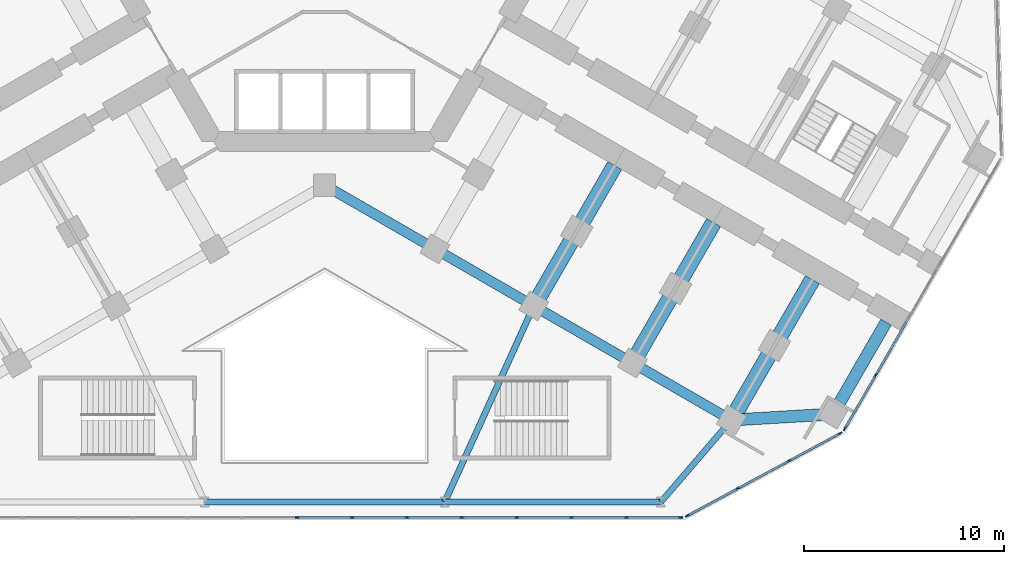
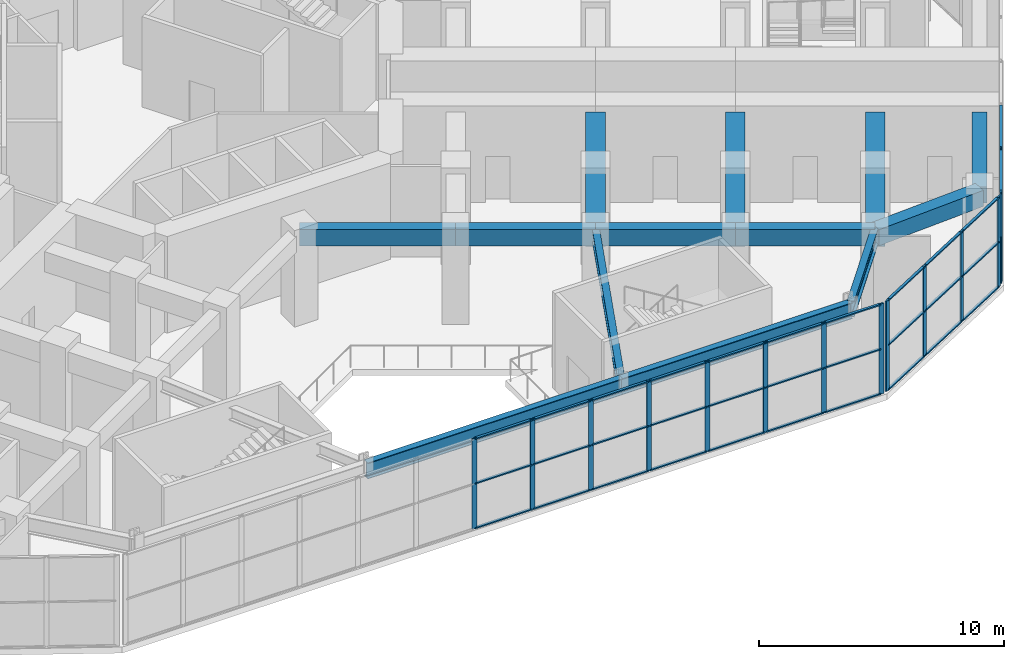
# One storey, part 5 of 21: 50 members, 13 beams, 3 elements without a shape of their own.
"""IFC4 building model written with IfcOpenShell, lengths in metres."""

from ifc_helpers import new_model, si_unit, direction, frame, origin, origin_2d, place, context, subcontext, project, spatial, rectangle, i_section, extrude, material, material_profile, profile_set, type_object, element, aggregate, save


model = new_model("IFC4")

# Units and contexts
model_context = context("Model", 3, precision=1e-05, world=origin(), true_north=direction((0.0, 1.0)))
body_context = subcontext(model_context, "Body", "Model", "MODEL_VIEW")
ifc_project = project(units=[si_unit("LENGTHUNIT", "METRE"), si_unit("AREAUNIT", "SQUARE_METRE"), si_unit("VOLUMEUNIT", "CUBIC_METRE"), si_unit("PLANEANGLEUNIT", "RADIAN"), si_unit("MASSUNIT", "GRAM", prefix="KILO")], contexts=[model_context])

# Site, building, storey
site_placement = place(None, origin())
site = spatial("IfcSite", under=ifc_project, at=site_placement, CompositionType="ELEMENT")
building_placement = place(site_placement, origin())
building = spatial("IfcBuilding", under=site, at=building_placement, Name="Kosmar Iwan School Tower", CompositionType="ELEMENT")
storey_placement = place(building_placement, frame((0.0, 0.0, 6.0)))
storey = spatial("IfcBuildingStorey", under=building, at=storey_placement, Name="L01", CompositionType="ELEMENT", Elevation=6.0)

# Beams
ifc_material_1 = material(Name="Steel S355", Category="steel")
ifc_material_profile_1 = material_profile(ifc_material_1, i_section(OverallWidth=0.300048828125, OverallDepth=0.800048828125, WebThickness=0.017578125, FlangeThickness=0.032958984375, FilletRadius=0.030029296875, at=origin_2d()), Name="HE 800 B")
ifc_profile_set_1 = profile_set([ifc_material_profile_1], Name="Steel S355")
beam_type_1 = type_object("IfcBeamType", Name="Infill edge beam HE 800 B", PredefinedType="BEAM", material=ifc_profile_set_1)
beam_1_placement = place(storey_placement, frame((20.31787109375, -23.508544921875, 4.10009765625), z_axis=(-0.651941989341, -0.758268845816, 0.0), x_axis=(0.758268845816, -0.651941989341, 0.0)))
element("IfcBeam", 1, at=beam_1_placement, inside=storey, type_object=beam_type_1, Name="Infill edge beam BC1", PredefinedType="BEAM", context=body_context, shape_type="SweptSolid", body=[
    extrude(i_section(OverallWidth=0.300048828125, OverallDepth=0.800048828125, WebThickness=0.017578125, FlangeThickness=0.032958984375, FilletRadius=0.030029296875, at=origin_2d()), origin(), (0.0, 0.0, 1.0), 5.39599609375),
])
beam_2_placement = place(storey_placement, frame((16.800048828125, -27.60009765625, 4.10009765625), z_axis=(-1.0, 0.0, 0.0), x_axis=(0.0, -1.0, 0.0)))
element("IfcBeam", 2, at=beam_2_placement, inside=storey, type_object=beam_type_1, Name="Infill edge beam BC2", PredefinedType="BEAM", context=body_context, shape_type="SweptSolid", body=[
    extrude(i_section(OverallWidth=0.300048828125, OverallDepth=0.800048828125, WebThickness=0.017578125, FlangeThickness=0.032958984375, FilletRadius=0.030029296875, at=origin_2d()), origin(), (0.0, 0.0, 1.0), 10.800048828125),
])
beam_3_placement = place(storey_placement, frame((6.0, -27.60009765625, 4.10009765625), z_axis=(-1.0, 0.0, 0.0), x_axis=(0.0, -1.0, 0.0)))
element("IfcBeam", 3, at=beam_3_placement, inside=storey, type_object=beam_type_1, Name="Infill edge beam BC3", PredefinedType="BEAM", context=body_context, shape_type="SweptSolid", body=[
    extrude(i_section(OverallWidth=0.300048828125, OverallDepth=0.800048828125, WebThickness=0.017578125, FlangeThickness=0.032958984375, FilletRadius=0.030029296875, at=origin_2d()), origin(), (0.0, 0.0, 1.0), 12.0),
])
ifc_material_2 = material(Name="Steel S355", Category="steel")
ifc_material_profile_2 = material_profile(ifc_material_2, i_section(OverallWidth=0.304931640625, OverallDepth=0.6201171875, WebThickness=0.02099609375, FlangeThickness=0.0400390625, FilletRadius=0.027099609375, at=origin_2d()), Name="HE 600 M")
ifc_profile_set_2 = profile_set([ifc_material_profile_2], Name="Steel S355")
beam_type_2 = type_object("IfcBeamType", Name="Infill girder HE 600 M", PredefinedType="BEAM", material=ifc_profile_set_2)
beam_4_placement = place(storey_placement, frame((6.0, -27.60009765625, 4.18994140625), z_axis=(0.413361578077, 0.910566969404, 0.0), x_axis=(-0.910566969404, 0.413361578077, 0.0)))
element("IfcBeam", 4, at=beam_4_placement, inside=storey, type_object=beam_type_2, Name="Infill girder BC2", PredefinedType="BEAM", context=body_context, shape_type="SweptSolid", body=[
    extrude(i_section(OverallWidth=0.304931640625, OverallDepth=0.6201171875, WebThickness=0.02099609375, FlangeThickness=0.0400390625, FilletRadius=0.027099609375, at=origin_2d()), origin(), (0.0, 0.0, 1.0), 10.75341796875),
])

# Curtain wall, members
ifc_material_3 = material(Name="Dark glass in black aluminium frame", Category="aluminium")
curtain_wall_type_1 = type_object("IfcCurtainWallType", Name="Podium curtain wall", PredefinedType="USERDEFINED", material=ifc_material_3)
curtain_wall_1_placement = place(storey_placement, origin())
curtain_wall_1 = element("IfcCurtainWall", 5, at=curtain_wall_1_placement, inside=storey, type_object=curtain_wall_type_1, Name="Curtain wall L01-F00", ObjectType="STICK CURTAIN WALL", PredefinedType="USERDEFINED")
ifc_material_4 = material(Name="Black anodised aluminium", Category="aluminium")
ifc_material_profile_3 = material_profile(ifc_material_4, rectangle(XDim=0.06494140625, YDim=0.219970703125, at=origin_2d()), Name="MULLION 65x220")
ifc_profile_set_3 = profile_set([ifc_material_profile_3], Name="Black anodised aluminium")
member_type_1 = type_object("IfcMemberType", Name="Podium mullion 65x220", PredefinedType="MULLION", material=ifc_profile_set_3)
member_1_placement = place(storey_placement, frame((-1.37060546875, -28.375, 0.0), z_axis=(0.0, 0.0, 1.0), x_axis=(0.0, 1.0, 0.0)))
member_1 = element("IfcMember", 6, at=member_1_placement, type_object=member_type_1, Name="CW3 mullion 7", PredefinedType="MULLION", context=body_context, shape_type="SweptSolid", body=[
    extrude(rectangle(XDim=0.06494140625, YDim=0.219970703125, at=origin_2d()), origin(), (0.0, 0.0, 1.0), 4.5),
])
member_2_placement = place(storey_placement, frame((1.37060546875, -28.375, 0.0), z_axis=(0.0, 0.0, 1.0), x_axis=(0.0, 1.0, 0.0)))
member_2 = element("IfcMember", 7, at=member_2_placement, type_object=member_type_1, Name="CW3 mullion 8", PredefinedType="MULLION", context=body_context, shape_type="SweptSolid", body=[
    extrude(rectangle(XDim=0.06494140625, YDim=0.219970703125, at=origin_2d()), origin(), (0.0, 0.0, 1.0), 4.5),
])
member_3_placement = place(storey_placement, frame((4.112060546875, -28.375, 0.0), z_axis=(0.0, 0.0, 1.0), x_axis=(0.0, 1.0, 0.0)))
member_3 = element("IfcMember", 8, at=member_3_placement, type_object=member_type_1, Name="CW3 mullion 9", PredefinedType="MULLION", context=body_context, shape_type="SweptSolid", body=[
    extrude(rectangle(XDim=0.06494140625, YDim=0.219970703125, at=origin_2d()), origin(), (0.0, 0.0, 1.0), 4.5),
])
member_4_placement = place(storey_placement, frame((6.853271484375, -28.375, 0.0), z_axis=(0.0, 0.0, 1.0), x_axis=(0.0, 1.0, 0.0)))
member_4 = element("IfcMember", 9, at=member_4_placement, type_object=member_type_1, Name="CW3 mullion 10", PredefinedType="MULLION", context=body_context, shape_type="SweptSolid", body=[
    extrude(rectangle(XDim=0.06494140625, YDim=0.219970703125, at=origin_2d()), origin(), (0.0, 0.0, 1.0), 4.5),
])
member_5_placement = place(storey_placement, frame((9.594482421875, -28.375, 0.0), z_axis=(0.0, 0.0, 1.0), x_axis=(0.0, 1.0, 0.0)))
member_5 = element("IfcMember", 10, at=member_5_placement, type_object=member_type_1, Name="CW3 mullion 11", PredefinedType="MULLION", context=body_context, shape_type="SweptSolid", body=[
    extrude(rectangle(XDim=0.06494140625, YDim=0.219970703125, at=origin_2d()), origin(), (0.0, 0.0, 1.0), 4.5),
])
member_6_placement = place(storey_placement, frame((12.3359375, -28.375, 0.0), z_axis=(0.0, 0.0, 1.0), x_axis=(0.0, 1.0, 0.0)))
member_6 = element("IfcMember", 11, at=member_6_placement, type_object=member_type_1, Name="CW3 mullion 12", PredefinedType="MULLION", context=body_context, shape_type="SweptSolid", body=[
    extrude(rectangle(XDim=0.06494140625, YDim=0.219970703125, at=origin_2d()), origin(), (0.0, 0.0, 1.0), 4.5),
])
member_7_placement = place(storey_placement, frame((15.0771484375, -28.375, 0.0), z_axis=(0.0, 0.0, 1.0), x_axis=(0.0, 1.0, 0.0)))
member_7 = element("IfcMember", 12, at=member_7_placement, type_object=member_type_1, Name="CW3 mullion 13", PredefinedType="MULLION", context=body_context, shape_type="SweptSolid", body=[
    extrude(rectangle(XDim=0.06494140625, YDim=0.219970703125, at=origin_2d()), origin(), (0.0, 0.0, 1.0), 4.5),
])
member_8_placement = place(storey_placement, frame((17.785888671875, -28.375, 0.0), z_axis=(0.0, 0.0, 1.0), x_axis=(0.0, 1.0, 0.0)))
member_8 = element("IfcMember", 13, at=member_8_placement, type_object=member_type_1, Name="CW3 mullion 14", PredefinedType="MULLION", context=body_context, shape_type="SweptSolid", body=[
    extrude(rectangle(XDim=0.06494140625, YDim=0.219970703125, at=origin_2d()), origin(), (0.0, 0.0, 1.0), 4.5),
])

curtain_wall_2_placement = place(storey_placement, origin())
curtain_wall_2 = element("IfcCurtainWall", 14, at=curtain_wall_2_placement, inside=storey, type_object=curtain_wall_type_1, Name="Curtain wall L01-F01", ObjectType="STICK CURTAIN WALL", PredefinedType="USERDEFINED")
member_9_placement = place(storey_placement, frame((18.12890625, -28.288330078125, 0.0), z_axis=(0.0, 0.0, 1.0), x_axis=(-0.475215410051, 0.879869486941, 0.0)))
member_9 = element("IfcMember", 15, at=member_9_placement, type_object=member_type_1, Name="CW3 mullion 1", PredefinedType="MULLION", context=body_context, shape_type="SweptSolid", body=[
    extrude(rectangle(XDim=0.06494140625, YDim=0.219970703125, at=origin_2d()), origin(), (0.0, 0.0, 1.0), 4.5),
])
member_10_placement = place(storey_placement, frame((20.656005859375, -26.923583984375, 0.0), z_axis=(0.0, 0.0, 1.0), x_axis=(-0.475215410051, 0.879869486941, 0.0)))
member_10 = element("IfcMember", 16, at=member_10_placement, type_object=member_type_1, Name="CW3 mullion 2", PredefinedType="MULLION", context=body_context, shape_type="SweptSolid", body=[
    extrude(rectangle(XDim=0.06494140625, YDim=0.219970703125, at=origin_2d()), origin(), (0.0, 0.0, 1.0), 4.5),
])
member_11_placement = place(storey_placement, frame((23.21142578125, -25.543212890625, 0.0), z_axis=(0.0, 0.0, 1.0), x_axis=(-0.475215410051, 0.879869486941, 0.0)))
member_11 = element("IfcMember", 17, at=member_11_placement, type_object=member_type_1, Name="CW3 mullion 3", PredefinedType="MULLION", context=body_context, shape_type="SweptSolid", body=[
    extrude(rectangle(XDim=0.06494140625, YDim=0.219970703125, at=origin_2d()), origin(), (0.0, 0.0, 1.0), 4.5),
])
member_12_placement = place(storey_placement, frame((25.73828125, -24.178466796875, 0.0), z_axis=(0.0, 0.0, 1.0), x_axis=(-0.475215410051, 0.879869486941, 0.0)))
member_12 = element("IfcMember", 18, at=member_12_placement, type_object=member_type_1, Name="CW3 mullion 4", PredefinedType="MULLION", context=body_context, shape_type="SweptSolid", body=[
    extrude(rectangle(XDim=0.06494140625, YDim=0.219970703125, at=origin_2d()), origin(), (0.0, 0.0, 1.0), 4.5),
])

ifc_material_5 = material(Name="Dark glass in black aluminium frame", Category="aluminium")
curtain_wall_type_2 = type_object("IfcCurtainWallType", Name="Tower curtain wall dark glass", PredefinedType="USERDEFINED", material=ifc_material_5)
curtain_wall_3_placement = place(storey_placement, origin())
curtain_wall_3 = element("IfcCurtainWall", 19, at=curtain_wall_3_placement, inside=storey, type_object=curtain_wall_type_2, Name="Curtain wall L01-F02", ObjectType="UNITISED CURTAIN WALL", PredefinedType="USERDEFINED")
member_13_placement = place(storey_placement, frame((25.990234375, -23.93359375, 0.0), z_axis=(0.0, 0.0, 1.0), x_axis=(-0.866025395669, 0.500000014057, 0.0)))
member_13 = element("IfcMember", 20, at=member_13_placement, type_object=member_type_1, Name="CW1 mullion 1", PredefinedType="MULLION", context=body_context, shape_type="SweptSolid", body=[
    extrude(rectangle(XDim=0.06494140625, YDim=0.219970703125, at=origin_2d()), origin(), (0.0, 0.0, 1.0), 4.5),
])
member_14_placement = place(storey_placement, frame((27.52685546875, -21.272216796875, 0.0), z_axis=(0.0, 0.0, 1.0), x_axis=(-0.866025395669, 0.500000014057, 0.0)))
member_14 = element("IfcMember", 21, at=member_14_placement, type_object=member_type_1, Name="CW1 mullion 2", PredefinedType="MULLION", context=body_context, shape_type="SweptSolid", body=[
    extrude(rectangle(XDim=0.06494140625, YDim=0.219970703125, at=origin_2d()), origin(), (0.0, 0.0, 1.0), 4.5),
])

# Beams
ifc_material_6 = material(Name="Concrete C50/60", Category="concrete")
ifc_material_profile_4 = material_profile(ifc_material_6, rectangle(XDim=0.5, YDim=0.800048828125, at=origin_2d()), Name="RC 500x800")
ifc_profile_set_4 = profile_set([ifc_material_profile_4], Name="Concrete C50/60")
beam_type_3 = type_object("IfcBeamType", Name="RC edge beam 500x800", PredefinedType="BEAM", material=ifc_profile_set_4)
beam_5_placement = place(storey_placement, frame((0.0, -11.77783203125, 4.10009765625), z_axis=(0.866014293216, -0.500019243575, 0.0), x_axis=(0.500019243575, 0.866014293216, 0.0)))
element("IfcBeam", 22, at=beam_5_placement, inside=storey, type_object=beam_type_3, Name="Edge beam CR1", PredefinedType="BEAM", context=body_context, shape_type="SweptSolid", body=[
    extrude(rectangle(XDim=0.5, YDim=0.800048828125, at=origin_2d()), origin(), (0.0, 0.0, 1.0), 6.361083984375),
])
beam_6_placement = place(storey_placement, frame((5.5087890625, -14.95849609375, 4.10009765625), z_axis=(0.866033658841, -0.49998570155, 0.0), x_axis=(0.49998570155, 0.866033658841, 0.0)))
element("IfcBeam", 23, at=beam_6_placement, inside=storey, type_object=beam_type_3, Name="Edge beam CR2", PredefinedType="BEAM", context=body_context, shape_type="SweptSolid", body=[
    extrude(rectangle(XDim=0.5, YDim=0.800048828125, at=origin_2d()), origin(), (0.0, 0.0, 1.0), 5.699951171875),
])
beam_7_placement = place(storey_placement, frame((10.445068359375, -17.808349609375, 4.10009765625), z_axis=(0.866025820012, -0.499999279071, 0.0), x_axis=(0.499999279071, 0.866025820012, 0.0)))
element("IfcBeam", 24, at=beam_7_placement, inside=storey, type_object=beam_type_3, Name="Edge beam CR3", PredefinedType="BEAM", context=body_context, shape_type="SweptSolid", body=[
    extrude(rectangle(XDim=0.5, YDim=0.800048828125, at=origin_2d()), origin(), (0.0, 0.0, 1.0), 5.7001953125),
])
beam_8_placement = place(storey_placement, frame((15.381591796875, -20.658447265625, 4.10009765625), z_axis=(0.866015111908, -0.50001782563, 0.0), x_axis=(0.50001782563, 0.866015111908, 0.0)))
element("IfcBeam", 25, at=beam_8_placement, inside=storey, type_object=beam_type_3, Name="Edge beam CR4", PredefinedType="BEAM", context=body_context, shape_type="SweptSolid", body=[
    extrude(rectangle(XDim=0.5, YDim=0.800048828125, at=origin_2d()), origin(), (0.0, 0.0, 1.0), 5.699951171875),
])
ifc_material_7 = material(Name="Concrete C50/60", Category="concrete")
ifc_material_profile_5 = material_profile(ifc_material_7, rectangle(XDim=0.60009765625, YDim=0.800048828125, at=origin_2d()), Name="RC 600x800")
ifc_profile_set_5 = profile_set([ifc_material_profile_5], Name="Concrete C50/60")
beam_type_4 = type_object("IfcBeamType", Name="RC tip beam 600x800", PredefinedType="BEAM", material=ifc_profile_set_5)
beam_9_placement = place(storey_placement, frame((20.31787109375, -23.508544921875, 4.10009765625), z_axis=(0.998260616478, 0.058955420358, 0.0), x_axis=(-0.058955420358, 0.998260616478, 0.0)))
element("IfcBeam", 26, at=beam_9_placement, inside=storey, type_object=beam_type_4, Name="Tip beam CR", PredefinedType="BEAM", context=body_context, shape_type="SweptSolid", body=[
    extrude(rectangle(XDim=0.60009765625, YDim=0.800048828125, at=origin_2d()), origin(), (0.0, 0.0, 1.0), 5.08935546875),
])
beam_10_placement = place(storey_placement, frame((25.3984375, -23.20849609375, 4.10009765625), z_axis=(0.499993606316, 0.866029095148, 0.0), x_axis=(-0.866029095148, 0.499993606316, 0.0)))
element("IfcBeam", 27, at=beam_10_placement, inside=storey, type_object=beam_type_4, Name="Tip beam CR to corridor wall", PredefinedType="BEAM", context=body_context, shape_type="SweptSolid", body=[
    extrude(rectangle(XDim=0.60009765625, YDim=0.800048828125, at=origin_2d()), origin(), (0.0, 0.0, 1.0), 5.2998046875),
])
ifc_material_8 = material(Name="Concrete C50/60", Category="concrete")
ifc_material_profile_6 = material_profile(ifc_material_8, rectangle(XDim=0.800048828125, YDim=1.0, at=origin_2d()), Name="RC 800x1000")
ifc_profile_set_6 = profile_set([ifc_material_profile_6], Name="Concrete C50/60")
beam_type_5 = type_object("IfcBeamType", Name="RC transverse beam 800x1000", PredefinedType="BEAM", material=ifc_profile_set_6)
beam_11_placement = place(storey_placement, frame((10.445068359375, -17.808349609375, 4.0), z_axis=(0.500012932018, 0.866017937352, 0.0), x_axis=(-0.866017937352, 0.500012932018, 0.0)))
element("IfcBeam", 28, at=beam_11_placement, inside=storey, type_object=beam_type_5, Name="Transverse beam CR2", PredefinedType="BEAM", context=body_context, shape_type="SweptSolid", body=[
    extrude(rectangle(XDim=0.800048828125, YDim=1.0, at=origin_2d()), origin(), (0.0, 0.0, 1.0), 8.099853515625),
])
for number, where, z_axis, x_axis, name in (
    (29, (15.381591796875, -20.658447265625, 4.0), (0.499977274689, 0.866038523851, 0.0), (-0.866038523851, 0.499977274689, 0.0), "Transverse beam CR3"),
    (30, (20.31787109375, -23.508544921875, 4.0), (0.499999880539, 0.866025472755, 0.0), (-0.866025472755, 0.499999880539, 0.0), "Transverse beam CR4"),
):
    element("IfcBeam", number, at=place(storey_placement, frame(where, z_axis=z_axis, x_axis=x_axis)), inside=storey, type_object=beam_type_5, Name=name, PredefinedType="BEAM", context=body_context, shape_type="SweptSolid", body=[
        extrude(rectangle(XDim=0.800048828125, YDim=1.0, at=origin_2d()), origin(), (0.0, 0.0, 1.0), 8.10009765625),
    ])

# Member
ifc_material_9 = material(Name="Black anodised aluminium", Category="aluminium")
ifc_material_profile_7 = material_profile(ifc_material_9, rectangle(XDim=0.1201171875, YDim=0.06005859375, at=origin_2d()), Name="TRANSOM 60x120")
ifc_profile_set_7 = profile_set([ifc_material_profile_7], Name="Black anodised aluminium")
member_type_2 = type_object("IfcMemberType", Name="Transom 60x120", PredefinedType="USERDEFINED", material=ifc_profile_set_7)
member_15_placement = place(storey_placement, frame((-1.338134765625, -28.375, 0.030029296875), z_axis=(1.0, 0.0, 0.0), x_axis=(0.0, 1.0, 0.0)))
member_15 = element("IfcMember", 31, at=member_15_placement, type_object=member_type_2, Name="CW3 transom 7.1", ObjectType="TRANSOM", PredefinedType="USERDEFINED", context=body_context, shape_type="SweptSolid", body=[
    extrude(rectangle(XDim=0.1201171875, YDim=0.06005859375, at=origin_2d()), origin(), (0.0, 0.0, 1.0), 2.67626953125),
])

member_16_placement = place(storey_placement, frame((-1.338134765625, -28.375, 2.25), z_axis=(1.0, 0.0, 0.0), x_axis=(0.0, 1.0, 0.0)))
member_16 = element("IfcMember", 32, at=member_16_placement, type_object=member_type_2, Name="CW3 transom 7.2", ObjectType="TRANSOM", PredefinedType="USERDEFINED", context=body_context, shape_type="SweptSolid", body=[
    extrude(rectangle(XDim=0.1201171875, YDim=0.06005859375, at=origin_2d()), origin(), (0.0, 0.0, 1.0), 2.67626953125),
])

member_17_placement = place(storey_placement, frame((-1.338134765625, -28.375, 4.469970703125), z_axis=(1.0, 0.0, 0.0), x_axis=(0.0, 1.0, 0.0)))
member_17 = element("IfcMember", 33, at=member_17_placement, type_object=member_type_2, Name="CW3 transom 7.3", ObjectType="TRANSOM", PredefinedType="USERDEFINED", context=body_context, shape_type="SweptSolid", body=[
    extrude(rectangle(XDim=0.1201171875, YDim=0.06005859375, at=origin_2d()), origin(), (0.0, 0.0, 1.0), 2.67626953125),
])

member_18_placement = place(storey_placement, frame((1.403076171875, -28.375, 0.030029296875), z_axis=(1.0, 0.0, 0.0), x_axis=(0.0, 1.0, 0.0)))
member_18 = element("IfcMember", 34, at=member_18_placement, type_object=member_type_2, Name="CW3 transom 8.1", ObjectType="TRANSOM", PredefinedType="USERDEFINED", context=body_context, shape_type="SweptSolid", body=[
    extrude(rectangle(XDim=0.1201171875, YDim=0.06005859375, at=origin_2d()), origin(), (0.0, 0.0, 1.0), 2.67626953125),
])

member_19_placement = place(storey_placement, frame((1.403076171875, -28.375, 2.25), z_axis=(1.0, 0.0, 0.0), x_axis=(0.0, 1.0, 0.0)))
member_19 = element("IfcMember", 35, at=member_19_placement, type_object=member_type_2, Name="CW3 transom 8.2", ObjectType="TRANSOM", PredefinedType="USERDEFINED", context=body_context, shape_type="SweptSolid", body=[
    extrude(rectangle(XDim=0.1201171875, YDim=0.06005859375, at=origin_2d()), origin(), (0.0, 0.0, 1.0), 2.67626953125),
])

member_20_placement = place(storey_placement, frame((1.403076171875, -28.375, 4.469970703125), z_axis=(1.0, 0.0, 0.0), x_axis=(0.0, 1.0, 0.0)))
member_20 = element("IfcMember", 36, at=member_20_placement, type_object=member_type_2, Name="CW3 transom 8.3", ObjectType="TRANSOM", PredefinedType="USERDEFINED", context=body_context, shape_type="SweptSolid", body=[
    extrude(rectangle(XDim=0.1201171875, YDim=0.06005859375, at=origin_2d()), origin(), (0.0, 0.0, 1.0), 2.67626953125),
])

member_21_placement = place(storey_placement, frame((4.14453125, -28.375, 0.030029296875), z_axis=(1.0, 0.0, 0.0), x_axis=(0.0, 1.0, 0.0)))
member_21 = element("IfcMember", 37, at=member_21_placement, type_object=member_type_2, Name="CW3 transom 9.1", ObjectType="TRANSOM", PredefinedType="USERDEFINED", context=body_context, shape_type="SweptSolid", body=[
    extrude(rectangle(XDim=0.1201171875, YDim=0.06005859375, at=origin_2d()), origin(), (0.0, 0.0, 1.0), 2.67626953125),
])

member_22_placement = place(storey_placement, frame((4.14453125, -28.375, 2.25), z_axis=(1.0, 0.0, 0.0), x_axis=(0.0, 1.0, 0.0)))
member_22 = element("IfcMember", 38, at=member_22_placement, type_object=member_type_2, Name="CW3 transom 9.2", ObjectType="TRANSOM", PredefinedType="USERDEFINED", context=body_context, shape_type="SweptSolid", body=[
    extrude(rectangle(XDim=0.1201171875, YDim=0.06005859375, at=origin_2d()), origin(), (0.0, 0.0, 1.0), 2.67626953125),
])

member_23_placement = place(storey_placement, frame((4.14453125, -28.375, 4.469970703125), z_axis=(1.0, 0.0, 0.0), x_axis=(0.0, 1.0, 0.0)))
member_23 = element("IfcMember", 39, at=member_23_placement, type_object=member_type_2, Name="CW3 transom 9.3", ObjectType="TRANSOM", PredefinedType="USERDEFINED", context=body_context, shape_type="SweptSolid", body=[
    extrude(rectangle(XDim=0.1201171875, YDim=0.06005859375, at=origin_2d()), origin(), (0.0, 0.0, 1.0), 2.67626953125),
])

member_24_placement = place(storey_placement, frame((6.8857421875, -28.375, 0.030029296875), z_axis=(1.0, 0.0, 0.0), x_axis=(0.0, 1.0, 0.0)))
member_24 = element("IfcMember", 40, at=member_24_placement, type_object=member_type_2, Name="CW3 transom 10.1", ObjectType="TRANSOM", PredefinedType="USERDEFINED", context=body_context, shape_type="SweptSolid", body=[
    extrude(rectangle(XDim=0.1201171875, YDim=0.06005859375, at=origin_2d()), origin(), (0.0, 0.0, 1.0), 2.67626953125),
])

member_25_placement = place(storey_placement, frame((6.8857421875, -28.375, 2.25), z_axis=(1.0, 0.0, 0.0), x_axis=(0.0, 1.0, 0.0)))
member_25 = element("IfcMember", 41, at=member_25_placement, type_object=member_type_2, Name="CW3 transom 10.2", ObjectType="TRANSOM", PredefinedType="USERDEFINED", context=body_context, shape_type="SweptSolid", body=[
    extrude(rectangle(XDim=0.1201171875, YDim=0.06005859375, at=origin_2d()), origin(), (0.0, 0.0, 1.0), 2.67626953125),
])

member_26_placement = place(storey_placement, frame((6.8857421875, -28.375, 4.469970703125), z_axis=(1.0, 0.0, 0.0), x_axis=(0.0, 1.0, 0.0)))
member_26 = element("IfcMember", 42, at=member_26_placement, type_object=member_type_2, Name="CW3 transom 10.3", ObjectType="TRANSOM", PredefinedType="USERDEFINED", context=body_context, shape_type="SweptSolid", body=[
    extrude(rectangle(XDim=0.1201171875, YDim=0.06005859375, at=origin_2d()), origin(), (0.0, 0.0, 1.0), 2.67626953125),
])

member_27_placement = place(storey_placement, frame((9.626953125, -28.375, 0.030029296875), z_axis=(1.0, 0.0, 0.0), x_axis=(0.0, 1.0, 0.0)))
member_27 = element("IfcMember", 43, at=member_27_placement, type_object=member_type_2, Name="CW3 transom 11.1", ObjectType="TRANSOM", PredefinedType="USERDEFINED", context=body_context, shape_type="SweptSolid", body=[
    extrude(rectangle(XDim=0.1201171875, YDim=0.06005859375, at=origin_2d()), origin(), (0.0, 0.0, 1.0), 2.67626953125),
])

member_28_placement = place(storey_placement, frame((9.626953125, -28.375, 2.25), z_axis=(1.0, 0.0, 0.0), x_axis=(0.0, 1.0, 0.0)))
member_28 = element("IfcMember", 44, at=member_28_placement, type_object=member_type_2, Name="CW3 transom 11.2", ObjectType="TRANSOM", PredefinedType="USERDEFINED", context=body_context, shape_type="SweptSolid", body=[
    extrude(rectangle(XDim=0.1201171875, YDim=0.06005859375, at=origin_2d()), origin(), (0.0, 0.0, 1.0), 2.67626953125),
])

member_29_placement = place(storey_placement, frame((9.626953125, -28.375, 4.469970703125), z_axis=(1.0, 0.0, 0.0), x_axis=(0.0, 1.0, 0.0)))
member_29 = element("IfcMember", 45, at=member_29_placement, type_object=member_type_2, Name="CW3 transom 11.3", ObjectType="TRANSOM", PredefinedType="USERDEFINED", context=body_context, shape_type="SweptSolid", body=[
    extrude(rectangle(XDim=0.1201171875, YDim=0.06005859375, at=origin_2d()), origin(), (0.0, 0.0, 1.0), 2.67626953125),
])

member_30_placement = place(storey_placement, frame((12.368408203125, -28.375, 0.030029296875), z_axis=(1.0, 0.0, 0.0), x_axis=(0.0, 1.0, 0.0)))
member_30 = element("IfcMember", 46, at=member_30_placement, type_object=member_type_2, Name="CW3 transom 12.1", ObjectType="TRANSOM", PredefinedType="USERDEFINED", context=body_context, shape_type="SweptSolid", body=[
    extrude(rectangle(XDim=0.1201171875, YDim=0.06005859375, at=origin_2d()), origin(), (0.0, 0.0, 1.0), 2.67626953125),
])

member_31_placement = place(storey_placement, frame((12.368408203125, -28.375, 2.25), z_axis=(1.0, 0.0, 0.0), x_axis=(0.0, 1.0, 0.0)))
member_31 = element("IfcMember", 47, at=member_31_placement, type_object=member_type_2, Name="CW3 transom 12.2", ObjectType="TRANSOM", PredefinedType="USERDEFINED", context=body_context, shape_type="SweptSolid", body=[
    extrude(rectangle(XDim=0.1201171875, YDim=0.06005859375, at=origin_2d()), origin(), (0.0, 0.0, 1.0), 2.67626953125),
])

member_32_placement = place(storey_placement, frame((12.368408203125, -28.375, 4.469970703125), z_axis=(1.0, 0.0, 0.0), x_axis=(0.0, 1.0, 0.0)))
member_32 = element("IfcMember", 48, at=member_32_placement, type_object=member_type_2, Name="CW3 transom 12.3", ObjectType="TRANSOM", PredefinedType="USERDEFINED", context=body_context, shape_type="SweptSolid", body=[
    extrude(rectangle(XDim=0.1201171875, YDim=0.06005859375, at=origin_2d()), origin(), (0.0, 0.0, 1.0), 2.67626953125),
])

member_33_placement = place(storey_placement, frame((15.109619140625, -28.375, 0.030029296875), z_axis=(1.0, 0.0, 0.0), x_axis=(0.0, 1.0, 0.0)))
member_33 = element("IfcMember", 49, at=member_33_placement, type_object=member_type_2, Name="CW3 transom 13.1", ObjectType="TRANSOM", PredefinedType="USERDEFINED", context=body_context, shape_type="SweptSolid", body=[
    extrude(rectangle(XDim=0.1201171875, YDim=0.06005859375, at=origin_2d()), origin(), (0.0, 0.0, 1.0), 2.643798828125),
])

member_34_placement = place(storey_placement, frame((15.109619140625, -28.375, 2.25), z_axis=(1.0, 0.0, 0.0), x_axis=(0.0, 1.0, 0.0)))
member_34 = element("IfcMember", 50, at=member_34_placement, type_object=member_type_2, Name="CW3 transom 13.2", ObjectType="TRANSOM", PredefinedType="USERDEFINED", context=body_context, shape_type="SweptSolid", body=[
    extrude(rectangle(XDim=0.1201171875, YDim=0.06005859375, at=origin_2d()), origin(), (0.0, 0.0, 1.0), 2.643798828125),
])

member_35_placement = place(storey_placement, frame((15.109619140625, -28.375, 4.469970703125), z_axis=(1.0, 0.0, 0.0), x_axis=(0.0, 1.0, 0.0)))
member_35 = element("IfcMember", 51, at=member_35_placement, type_object=member_type_2, Name="CW3 transom 13.3", ObjectType="TRANSOM", PredefinedType="USERDEFINED", context=body_context, shape_type="SweptSolid", body=[
    extrude(rectangle(XDim=0.1201171875, YDim=0.06005859375, at=origin_2d()), origin(), (0.0, 0.0, 1.0), 2.643798828125),
])

aggregate(curtain_wall_1, [member_1, member_2, member_3, member_4, member_5, member_6, member_7, member_8, member_15, member_16, member_17, member_18, member_19, member_20, member_21, member_22, member_23, member_24, member_25, member_26, member_27, member_28, member_29, member_30, member_31, member_32, member_33, member_34, member_35])

member_36_placement = place(storey_placement, frame((18.157470703125, -28.27294921875, 0.030029296875), z_axis=(0.879855938213, 0.475240494899, 0.0), x_axis=(-0.475240494899, 0.879855938213, 0.0)))
member_36 = element("IfcMember", 52, at=member_36_placement, type_object=member_type_2, Name="CW3 transom 1.1", ObjectType="TRANSOM", PredefinedType="USERDEFINED", context=body_context, shape_type="SweptSolid", body=[
    extrude(rectangle(XDim=0.1201171875, YDim=0.06005859375, at=origin_2d()), origin(), (0.0, 0.0, 1.0), 2.806884765625),
])

member_37_placement = place(storey_placement, frame((18.157470703125, -28.27294921875, 2.25), z_axis=(0.879855938213, 0.475240494899, 0.0), x_axis=(-0.475240494899, 0.879855938213, 0.0)))
member_37 = element("IfcMember", 53, at=member_37_placement, type_object=member_type_2, Name="CW3 transom 1.2", ObjectType="TRANSOM", PredefinedType="USERDEFINED", context=body_context, shape_type="SweptSolid", body=[
    extrude(rectangle(XDim=0.1201171875, YDim=0.06005859375, at=origin_2d()), origin(), (0.0, 0.0, 1.0), 2.806884765625),
])

member_38_placement = place(storey_placement, frame((18.157470703125, -28.27294921875, 4.469970703125), z_axis=(0.879855938213, 0.475240494899, 0.0), x_axis=(-0.475240494899, 0.879855938213, 0.0)))
member_38 = element("IfcMember", 54, at=member_38_placement, type_object=member_type_2, Name="CW3 transom 1.3", ObjectType="TRANSOM", PredefinedType="USERDEFINED", context=body_context, shape_type="SweptSolid", body=[
    extrude(rectangle(XDim=0.1201171875, YDim=0.06005859375, at=origin_2d()), origin(), (0.0, 0.0, 1.0), 2.806884765625),
])

member_39_placement = place(storey_placement, frame((20.6845703125, -26.907958984375, 0.030029296875), z_axis=(0.879862975212, 0.475227466432, 0.0), x_axis=(-0.475227466432, 0.879862975212, 0.0)))
member_39 = element("IfcMember", 55, at=member_39_placement, type_object=member_type_2, Name="CW3 transom 2.1", ObjectType="TRANSOM", PredefinedType="USERDEFINED", context=body_context, shape_type="SweptSolid", body=[
    extrude(rectangle(XDim=0.1201171875, YDim=0.06005859375, at=origin_2d()), origin(), (0.0, 0.0, 1.0), 2.83935546875),
])

member_40_placement = place(storey_placement, frame((20.6845703125, -26.907958984375, 2.25), z_axis=(0.879862975212, 0.475227466432, 0.0), x_axis=(-0.475227466432, 0.879862975212, 0.0)))
member_40 = element("IfcMember", 56, at=member_40_placement, type_object=member_type_2, Name="CW3 transom 2.2", ObjectType="TRANSOM", PredefinedType="USERDEFINED", context=body_context, shape_type="SweptSolid", body=[
    extrude(rectangle(XDim=0.1201171875, YDim=0.06005859375, at=origin_2d()), origin(), (0.0, 0.0, 1.0), 2.83935546875),
])

member_41_placement = place(storey_placement, frame((20.6845703125, -26.907958984375, 4.469970703125), z_axis=(0.879862975212, 0.475227466432, 0.0), x_axis=(-0.475227466432, 0.879862975212, 0.0)))
member_41 = element("IfcMember", 57, at=member_41_placement, type_object=member_type_2, Name="CW3 transom 2.3", ObjectType="TRANSOM", PredefinedType="USERDEFINED", context=body_context, shape_type="SweptSolid", body=[
    extrude(rectangle(XDim=0.1201171875, YDim=0.06005859375, at=origin_2d()), origin(), (0.0, 0.0, 1.0), 2.83935546875),
])

member_42_placement = place(storey_placement, frame((23.239990234375, -25.52783203125, 0.030029296875), z_axis=(0.879855938213, 0.475240494899, 0.0), x_axis=(-0.475240494899, 0.879855938213, 0.0)))
member_42 = element("IfcMember", 58, at=member_42_placement, type_object=member_type_2, Name="CW3 transom 3.1", ObjectType="TRANSOM", PredefinedType="USERDEFINED", context=body_context, shape_type="SweptSolid", body=[
    extrude(rectangle(XDim=0.1201171875, YDim=0.06005859375, at=origin_2d()), origin(), (0.0, 0.0, 1.0), 2.806884765625),
])

member_43_placement = place(storey_placement, frame((23.239990234375, -25.52783203125, 2.25), z_axis=(0.879855938213, 0.475240494899, 0.0), x_axis=(-0.475240494899, 0.879855938213, 0.0)))
member_43 = element("IfcMember", 59, at=member_43_placement, type_object=member_type_2, Name="CW3 transom 3.2", ObjectType="TRANSOM", PredefinedType="USERDEFINED", context=body_context, shape_type="SweptSolid", body=[
    extrude(rectangle(XDim=0.1201171875, YDim=0.06005859375, at=origin_2d()), origin(), (0.0, 0.0, 1.0), 2.806884765625),
])

member_44_placement = place(storey_placement, frame((23.239990234375, -25.52783203125, 4.469970703125), z_axis=(0.879855938213, 0.475240494899, 0.0), x_axis=(-0.475240494899, 0.879855938213, 0.0)))
member_44 = element("IfcMember", 60, at=member_44_placement, type_object=member_type_2, Name="CW3 transom 3.3", ObjectType="TRANSOM", PredefinedType="USERDEFINED", context=body_context, shape_type="SweptSolid", body=[
    extrude(rectangle(XDim=0.1201171875, YDim=0.06005859375, at=origin_2d()), origin(), (0.0, 0.0, 1.0), 2.806884765625),
])

aggregate(curtain_wall_2, [member_9, member_10, member_11, member_12, member_36, member_37, member_38, member_39, member_40, member_41, member_42, member_43, member_44])

member_45_placement = place(storey_placement, frame((26.00634765625, -23.905517578125, 0.030029296875), z_axis=(0.500005799286, 0.866022055539, 0.0), x_axis=(-0.866022055539, 0.500005799286, 0.0)))
member_45 = element("IfcMember", 61, at=member_45_placement, type_object=member_type_2, Name="CW1 transom 1.1", ObjectType="TRANSOM", PredefinedType="USERDEFINED", context=body_context, shape_type="SweptSolid", body=[
    extrude(rectangle(XDim=0.1201171875, YDim=0.06005859375, at=origin_2d()), origin(), (0.0, 0.0, 1.0), 3.00830078125),
])

member_46_placement = place(storey_placement, frame((26.00634765625, -23.905517578125, 2.25), z_axis=(0.500005799286, 0.866022055539, 0.0), x_axis=(-0.866022055539, 0.500005799286, 0.0)))
member_46 = element("IfcMember", 62, at=member_46_placement, type_object=member_type_2, Name="CW1 transom 1.2", ObjectType="TRANSOM", PredefinedType="USERDEFINED", context=body_context, shape_type="SweptSolid", body=[
    extrude(rectangle(XDim=0.1201171875, YDim=0.06005859375, at=origin_2d()), origin(), (0.0, 0.0, 1.0), 3.00830078125),
])

member_47_placement = place(storey_placement, frame((26.00634765625, -23.905517578125, 4.469970703125), z_axis=(0.500005799286, 0.866022055539, 0.0), x_axis=(-0.866022055539, 0.500005799286, 0.0)))
member_47 = element("IfcMember", 63, at=member_47_placement, type_object=member_type_2, Name="CW1 transom 1.3", ObjectType="TRANSOM", PredefinedType="USERDEFINED", context=body_context, shape_type="SweptSolid", body=[
    extrude(rectangle(XDim=0.1201171875, YDim=0.06005859375, at=origin_2d()), origin(), (0.0, 0.0, 1.0), 3.00830078125),
])

member_48_placement = place(storey_placement, frame((27.543212890625, -21.243896484375, 0.030029296875), z_axis=(0.49998193385, 0.86603583403, 0.0), x_axis=(-0.86603583403, 0.49998193385, 0.0)))
member_48 = element("IfcMember", 64, at=member_48_placement, type_object=member_type_2, Name="CW1 transom 2.1", ObjectType="TRANSOM", PredefinedType="USERDEFINED", context=body_context, shape_type="SweptSolid", body=[
    extrude(rectangle(XDim=0.1201171875, YDim=0.06005859375, at=origin_2d()), origin(), (0.0, 0.0, 1.0), 3.04052734375),
])

member_49_placement = place(storey_placement, frame((27.543212890625, -21.243896484375, 2.25), z_axis=(0.49998193385, 0.86603583403, 0.0), x_axis=(-0.86603583403, 0.49998193385, 0.0)))
member_49 = element("IfcMember", 65, at=member_49_placement, type_object=member_type_2, Name="CW1 transom 2.2", ObjectType="TRANSOM", PredefinedType="USERDEFINED", context=body_context, shape_type="SweptSolid", body=[
    extrude(rectangle(XDim=0.1201171875, YDim=0.06005859375, at=origin_2d()), origin(), (0.0, 0.0, 1.0), 3.04052734375),
])

member_50_placement = place(storey_placement, frame((27.543212890625, -21.243896484375, 4.469970703125), z_axis=(0.49998193385, 0.86603583403, 0.0), x_axis=(-0.86603583403, 0.49998193385, 0.0)))
member_50 = element("IfcMember", 66, at=member_50_placement, type_object=member_type_2, Name="CW1 transom 2.3", ObjectType="TRANSOM", PredefinedType="USERDEFINED", context=body_context, shape_type="SweptSolid", body=[
    extrude(rectangle(XDim=0.1201171875, YDim=0.06005859375, at=origin_2d()), origin(), (0.0, 0.0, 1.0), 3.04052734375),
])

aggregate(curtain_wall_3, [member_13, member_14, member_45, member_46, member_47, member_48, member_49, member_50])

save(model, "model.ifc")
